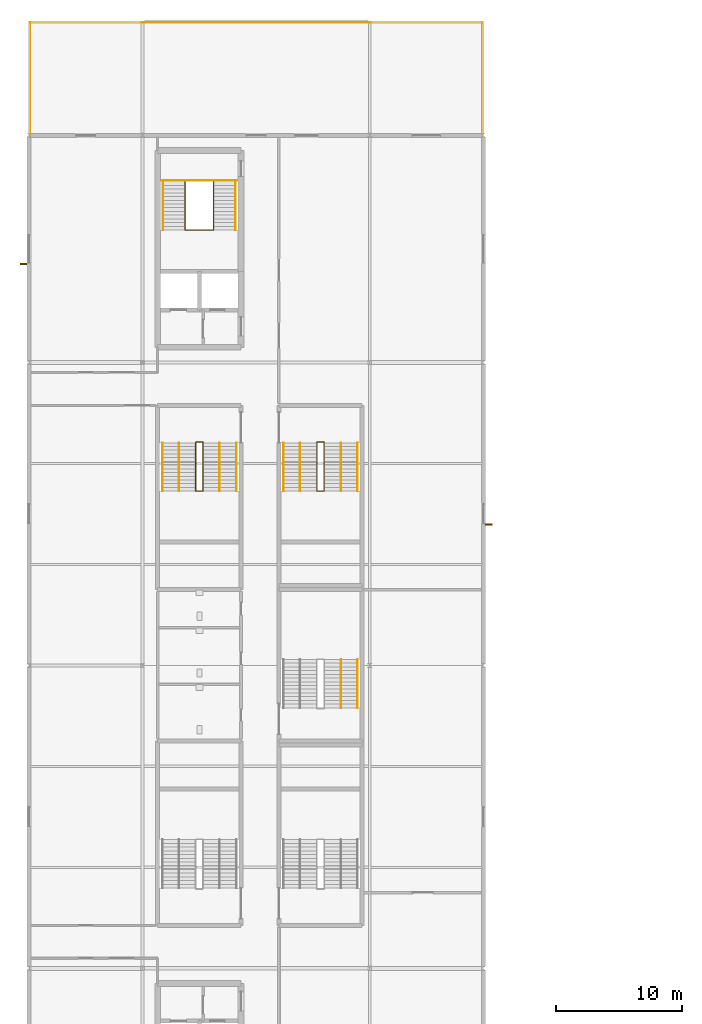
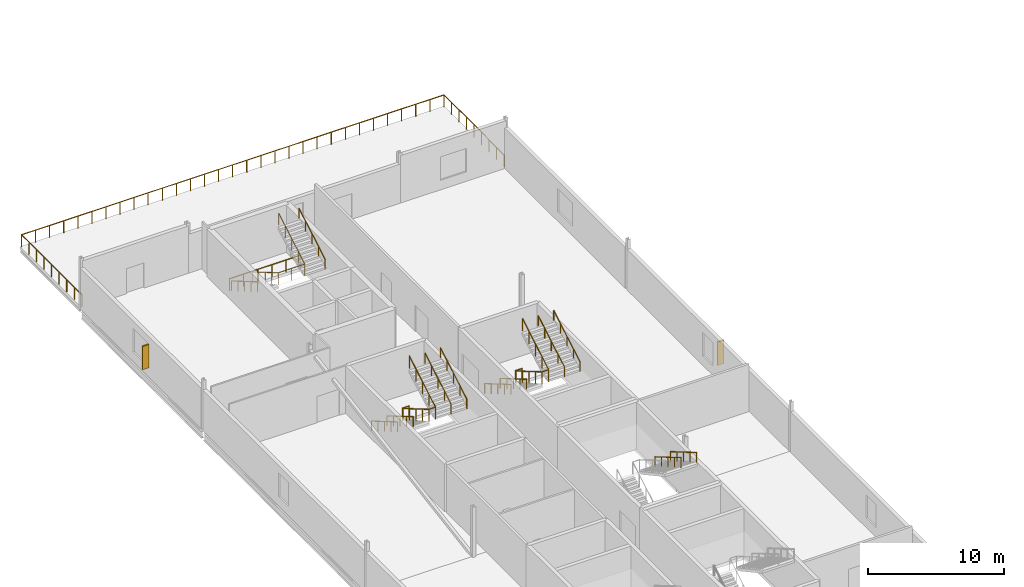
# One storey, part 24 of 28: 19 railings, 2 shading devices.
"""IFC4 building model written with IfcOpenShell, lengths in metres."""

from ifc_helpers import new_model, si_unit, direction, frame, origin, origin_2d, place, context, subcontext, project, spatial, rectangle, circle, extrude, material, type_object, element, save


model = new_model("IFC4")

# Units and contexts
model_context = context("Model", 3, precision=1e-05, world=origin(), true_north=direction((0.0, 1.0)))
body_context = subcontext(model_context, "Body", "Model", "MODEL_VIEW")
ifc_project = project(units=[si_unit("LENGTHUNIT", "METRE"), si_unit("AREAUNIT", "SQUARE_METRE"), si_unit("VOLUMEUNIT", "CUBIC_METRE"), si_unit("PLANEANGLEUNIT", "RADIAN"), si_unit("MASSUNIT", "GRAM", prefix="KILO")], contexts=[model_context])

# Site, building, storey
site_placement = place(None, origin())
site = spatial("IfcSite", under=ifc_project, at=site_placement, CompositionType="ELEMENT")
building_placement = place(site_placement, origin())
building = spatial("IfcBuilding", under=site, at=building_placement, Name="Kisiwana Market Hall", CompositionType="ELEMENT")
storey_placement = place(building_placement, frame((0.0, 0.0, 49.5)))
storey = spatial("IfcBuildingStorey", under=building, at=storey_placement, Name="L11", CompositionType="ELEMENT", Elevation=49.5)

# Railings
ifc_material_1 = material(Name="Steel S275", Category="steel")
railing_type_1 = type_object("IfcRailingType", Name="RL-BALUST-1100", PredefinedType="BALUSTRADE", material=ifc_material_1)
railing_1_placement = place(storey_placement, frame((0.080078125, 102.050048828125, 0.0)))
element("IfcRailing", 1, at=railing_1_placement, inside=storey, type_object=railing_type_1, Name="L11 NW Sky Garden Guardrail 1100 RL-1703", PredefinedType="BALUSTRADE", context=body_context, shape_type="SweptSolid", body=[
    extrude(circle(Radius=0.02392578125, at=origin_2d()), frame((0.0, 0.0, 1.076171875), z_axis=(0.0, 1.0, 0.0), x_axis=(-1.0, 0.0, 0.0)), (0.0, 0.0, 1.0), 8.869873046875),
    extrude(circle(Radius=0.02392578125, at=origin_2d()), frame((0.0, 8.869873046875, 1.076171875), z_axis=(1.0, 0.0, 0.0), x_axis=(0.0, 1.0, 0.0)), (0.0, 0.0, 1.0), 35.83984375),
    extrude(circle(Radius=0.02392578125, at=origin_2d()), frame((35.83984375, 8.869873046875, 1.076171875), z_axis=(0.0, -1.0, 0.0), x_axis=(1.0, 0.0, 0.0)), (0.0, 0.0, 1.0), 8.869873046875),
    extrude(circle(Radius=0.02099609375, at=origin_2d()), origin(), (0.0, 0.0, 1.0), 1.052001953125),
    extrude(circle(Radius=0.02099609375, at=origin_2d()), frame((0.0, 1.108642578125, 0.0)), (0.0, 0.0, 1.0), 1.052001953125),
    extrude(circle(Radius=0.02099609375, at=origin_2d()), frame((0.0, 2.217529296875, 0.0)), (0.0, 0.0, 1.0), 1.052001953125),
    extrude(circle(Radius=0.02099609375, at=origin_2d()), frame((0.0, 3.326171875, 0.0)), (0.0, 0.0, 1.0), 1.052001953125),
    extrude(circle(Radius=0.02099609375, at=origin_2d()), frame((0.0, 4.43505859375, 0.0)), (0.0, 0.0, 1.0), 1.052001953125),
    extrude(circle(Radius=0.02099609375, at=origin_2d()), frame((0.0, 5.543701171875, 0.0)), (0.0, 0.0, 1.0), 1.052001953125),
    extrude(circle(Radius=0.02099609375, at=origin_2d()), frame((0.0, 6.65234375, 0.0)), (0.0, 0.0, 1.0), 1.052001953125),
    extrude(circle(Radius=0.02099609375, at=origin_2d()), frame((0.0, 7.76123046875, 0.0)), (0.0, 0.0, 1.0), 1.052001953125),
    extrude(circle(Radius=0.02099609375, at=origin_2d()), frame((0.0, 8.869873046875, 0.0)), (0.0, 0.0, 1.0), 1.052001953125),
    extrude(circle(Radius=0.02099609375, at=origin_2d()), frame((1.194580078125, 8.869873046875, 0.0)), (0.0, 0.0, 1.0), 1.052001953125),
    extrude(circle(Radius=0.02099609375, at=origin_2d()), frame((2.389404296875, 8.869873046875, 0.0)), (0.0, 0.0, 1.0), 1.052001953125),
    extrude(circle(Radius=0.02099609375, at=origin_2d()), frame((3.583984375, 8.869873046875, 0.0)), (0.0, 0.0, 1.0), 1.052001953125),
    extrude(circle(Radius=0.02099609375, at=origin_2d()), frame((4.778564453125, 8.869873046875, 0.0)), (0.0, 0.0, 1.0), 1.052001953125),
    extrude(circle(Radius=0.02099609375, at=origin_2d()), frame((5.973388671875, 8.869873046875, 0.0)), (0.0, 0.0, 1.0), 1.052001953125),
    extrude(circle(Radius=0.02099609375, at=origin_2d()), frame((7.16796875, 8.869873046875, 0.0)), (0.0, 0.0, 1.0), 1.052001953125),
    extrude(circle(Radius=0.02099609375, at=origin_2d()), frame((8.362548828125, 8.869873046875, 0.0)), (0.0, 0.0, 1.0), 1.052001953125),
    extrude(circle(Radius=0.02099609375, at=origin_2d()), frame((9.557373046875, 8.869873046875, 0.0)), (0.0, 0.0, 1.0), 1.052001953125),
    extrude(circle(Radius=0.02099609375, at=origin_2d()), frame((10.751953125, 8.869873046875, 0.0)), (0.0, 0.0, 1.0), 1.052001953125),
    extrude(circle(Radius=0.02099609375, at=origin_2d()), frame((11.946533203125, 8.869873046875, 0.0)), (0.0, 0.0, 1.0), 1.052001953125),
    extrude(circle(Radius=0.02099609375, at=origin_2d()), frame((13.141357421875, 8.869873046875, 0.0)), (0.0, 0.0, 1.0), 1.052001953125),
    extrude(circle(Radius=0.02099609375, at=origin_2d()), frame((14.3359375, 8.869873046875, 0.0)), (0.0, 0.0, 1.0), 1.052001953125),
    extrude(circle(Radius=0.02099609375, at=origin_2d()), frame((15.530517578125, 8.869873046875, 0.0)), (0.0, 0.0, 1.0), 1.052001953125),
    extrude(circle(Radius=0.02099609375, at=origin_2d()), frame((16.725341796875, 8.869873046875, 0.0)), (0.0, 0.0, 1.0), 1.052001953125),
    extrude(circle(Radius=0.02099609375, at=origin_2d()), frame((17.919921875, 8.869873046875, 0.0)), (0.0, 0.0, 1.0), 1.052001953125),
    extrude(circle(Radius=0.02099609375, at=origin_2d()), frame((19.114501953125, 8.869873046875, 0.0)), (0.0, 0.0, 1.0), 1.052001953125),
    extrude(circle(Radius=0.02099609375, at=origin_2d()), frame((20.309326171875, 8.869873046875, 0.0)), (0.0, 0.0, 1.0), 1.052001953125),
    extrude(circle(Radius=0.02099609375, at=origin_2d()), frame((21.50390625, 8.869873046875, 0.0)), (0.0, 0.0, 1.0), 1.052001953125),
    extrude(circle(Radius=0.02099609375, at=origin_2d()), frame((22.698486328125, 8.869873046875, 0.0)), (0.0, 0.0, 1.0), 1.052001953125),
    extrude(circle(Radius=0.02099609375, at=origin_2d()), frame((23.893310546875, 8.869873046875, 0.0)), (0.0, 0.0, 1.0), 1.052001953125),
    extrude(circle(Radius=0.02099609375, at=origin_2d()), frame((25.087890625, 8.869873046875, 0.0)), (0.0, 0.0, 1.0), 1.052001953125),
    extrude(circle(Radius=0.02099609375, at=origin_2d()), frame((26.282470703125, 8.869873046875, 0.0)), (0.0, 0.0, 1.0), 1.052001953125),
    extrude(circle(Radius=0.02099609375, at=origin_2d()), frame((27.477294921875, 8.869873046875, 0.0)), (0.0, 0.0, 1.0), 1.052001953125),
    extrude(circle(Radius=0.02099609375, at=origin_2d()), frame((28.671875, 8.869873046875, 0.0)), (0.0, 0.0, 1.0), 1.052001953125),
    extrude(circle(Radius=0.02099609375, at=origin_2d()), frame((29.866455078125, 8.869873046875, 0.0)), (0.0, 0.0, 1.0), 1.052001953125),
    extrude(circle(Radius=0.02099609375, at=origin_2d()), frame((31.061279296875, 8.869873046875, 0.0)), (0.0, 0.0, 1.0), 1.052001953125),
    extrude(circle(Radius=0.02099609375, at=origin_2d()), frame((32.255859375, 8.869873046875, 0.0)), (0.0, 0.0, 1.0), 1.052001953125),
    extrude(circle(Radius=0.02099609375, at=origin_2d()), frame((33.450439453125, 8.869873046875, 0.0)), (0.0, 0.0, 1.0), 1.052001953125),
    extrude(circle(Radius=0.02099609375, at=origin_2d()), frame((34.645263671875, 8.869873046875, 0.0)), (0.0, 0.0, 1.0), 1.052001953125),
    extrude(circle(Radius=0.02099609375, at=origin_2d()), frame((35.83984375, 8.869873046875, 0.0)), (0.0, 0.0, 1.0), 1.052001953125),
    extrude(circle(Radius=0.02099609375, at=origin_2d()), frame((35.83984375, 7.76123046875, 0.0)), (0.0, 0.0, 1.0), 1.052001953125),
    extrude(circle(Radius=0.02099609375, at=origin_2d()), frame((35.83984375, 6.65234375, 0.0)), (0.0, 0.0, 1.0), 1.052001953125),
    extrude(circle(Radius=0.02099609375, at=origin_2d()), frame((35.83984375, 5.543701171875, 0.0)), (0.0, 0.0, 1.0), 1.052001953125),
    extrude(circle(Radius=0.02099609375, at=origin_2d()), frame((35.83984375, 4.43505859375, 0.0)), (0.0, 0.0, 1.0), 1.052001953125),
    extrude(circle(Radius=0.02099609375, at=origin_2d()), frame((35.83984375, 3.326171875, 0.0)), (0.0, 0.0, 1.0), 1.052001953125),
    extrude(circle(Radius=0.02099609375, at=origin_2d()), frame((35.83984375, 2.217529296875, 0.0)), (0.0, 0.0, 1.0), 1.052001953125),
    extrude(circle(Radius=0.02099609375, at=origin_2d()), frame((35.83984375, 1.108642578125, 0.0)), (0.0, 0.0, 1.0), 1.052001953125),
    extrude(circle(Radius=0.02099609375, at=origin_2d()), frame((35.83984375, 0.0, 0.0)), (0.0, 0.0, 1.0), 1.052001953125),
])
ifc_material_2 = material(Name="Steel S275", Category="steel")
railing_type_2 = type_object("IfcRailingType", Name="RL-GUARD-1100", PredefinedType="GUARDRAIL", material=ifc_material_2)
railing_2_placement = place(storey_placement, frame((12.375, 98.325439453125, 0.0)))
element("IfcRailing", 2, at=railing_2_placement, inside=storey, type_object=railing_type_2, Name="Stair ST-W1-L11 inner-well guardrail (RL-1363)", PredefinedType="GUARDRAIL", context=body_context, shape_type="SweptSolid", body=[
    extrude(circle(Radius=0.02392578125, at=origin_2d()), frame((0.0, 0.0, 1.076171875), z_axis=(0.0, -0.86250956776, 0.506040754805), x_axis=(1.0, 0.0, 0.0)), (0.0, 0.0, 1.0), 4.4462890625),
    extrude(circle(Radius=0.02392578125, at=origin_2d()), frame((0.0, -3.8349609375, 3.326171875), z_axis=(1.0, 0.0, 0.0), x_axis=(0.0, 1.0, 0.0)), (0.0, 0.0, 1.0), 2.25),
    extrude(circle(Radius=0.02392578125, at=origin_2d()), frame((2.25, -3.8349609375, 3.326171875), z_axis=(0.0, 0.86250956776, 0.506040754805), x_axis=(-1.0, 0.0, 0.0)), (0.0, 0.0, 1.0), 4.4462890625),
    extrude(circle(Radius=0.02099609375, at=origin_2d()), origin(), (0.0, 0.0, 1.0), 1.052001953125),
    extrude(circle(Radius=0.02099609375, at=origin_2d()), frame((0.0, -0.958740234375, 0.5625)), (0.0, 0.0, 1.0), 1.052001953125),
    extrude(circle(Radius=0.02099609375, at=origin_2d()), frame((0.0, -1.91748046875, 1.125)), (0.0, 0.0, 1.0), 1.052001953125),
    extrude(circle(Radius=0.02099609375, at=origin_2d()), frame((0.0, -2.876220703125, 1.6875)), (0.0, 0.0, 1.0), 1.052001953125),
    extrude(circle(Radius=0.02099609375, at=origin_2d()), frame((0.0, -3.8349609375, 2.25)), (0.0, 0.0, 1.0), 1.052001953125),
    extrude(circle(Radius=0.02099609375, at=origin_2d()), frame((1.125, -3.8349609375, 2.25)), (0.0, 0.0, 1.0), 1.052001953125),
    extrude(circle(Radius=0.02099609375, at=origin_2d()), frame((2.25, -3.8349609375, 2.25)), (0.0, 0.0, 1.0), 1.052001953125),
    extrude(circle(Radius=0.02099609375, at=origin_2d()), frame((2.25, -2.876220703125, 2.8125)), (0.0, 0.0, 1.0), 1.052001953125),
    extrude(circle(Radius=0.02099609375, at=origin_2d()), frame((2.25, -1.91748046875, 3.375)), (0.0, 0.0, 1.0), 1.052001953125),
    extrude(circle(Radius=0.02099609375, at=origin_2d()), frame((2.25, -0.958740234375, 3.9375)), (0.0, 0.0, 1.0), 1.052001953125),
    extrude(circle(Radius=0.02099609375, at=origin_2d()), frame((2.25, 0.0, 4.5)), (0.0, 0.0, 1.0), 1.052001953125),
])
railing_3_placement = place(storey_placement, frame((10.5048828125, 98.405517578125, 0.0)))
element("IfcRailing", 3, at=railing_3_placement, inside=storey, type_object=railing_type_2, Name="Stair ST-W1-L11 landing edge guardrail (RL-1366)", PredefinedType="GUARDRAIL", context=body_context, shape_type="SweptSolid", body=[
    extrude(circle(Radius=0.02392578125, at=origin_2d()), frame((0.0, 0.0, 1.076171875), z_axis=(1.0, 0.0, 0.0), x_axis=(0.0, 1.0, 0.0)), (0.0, 0.0, 1.0), 5.990234375),
    extrude(circle(Radius=0.02099609375, at=origin_2d()), origin(), (0.0, 0.0, 1.0), 1.052001953125),
    extrude(circle(Radius=0.02099609375, at=origin_2d()), frame((1.197998046875, 0.0, 0.0)), (0.0, 0.0, 1.0), 1.052001953125),
    extrude(circle(Radius=0.02099609375, at=origin_2d()), frame((2.39599609375, 0.0, 0.0)), (0.0, 0.0, 1.0), 1.052001953125),
    extrude(circle(Radius=0.02099609375, at=origin_2d()), frame((3.59423828125, 0.0, 0.0)), (0.0, 0.0, 1.0), 1.052001953125),
    extrude(circle(Radius=0.02099609375, at=origin_2d()), frame((4.792236328125, 0.0, 0.0)), (0.0, 0.0, 1.0), 1.052001953125),
    extrude(circle(Radius=0.02099609375, at=origin_2d()), frame((5.990234375, 0.0, 0.0)), (0.0, 0.0, 1.0), 1.052001953125),
])
railing_4_placement = place(storey_placement, frame((13.219970703125, 77.639892578125, 0.0)))
element("IfcRailing", 4, at=railing_4_placement, inside=storey, type_object=railing_type_2, Name="Stair ST-W4-L11 inner-well guardrail (RL-1381)", PredefinedType="GUARDRAIL", context=body_context, shape_type="SweptSolid", body=[
    extrude(circle(Radius=0.02392578125, at=origin_2d()), frame((0.0, 0.0, 1.076171875), z_axis=(0.0, -0.86250956776, 0.506040754805), x_axis=(1.0, 0.0, 0.0)), (0.0, 0.0, 1.0), 4.4462890625),
    extrude(circle(Radius=0.02392578125, at=origin_2d()), frame((0.0, -3.8349609375, 3.326171875), z_axis=(1.0, 0.0, 0.0), x_axis=(0.0, 1.0, 0.0)), (0.0, 0.0, 1.0), 0.56005859375),
    extrude(circle(Radius=0.02392578125, at=origin_2d()), frame((0.56005859375, -3.8349609375, 3.326171875), z_axis=(0.0, 0.86250956776, 0.506040754805), x_axis=(-1.0, 0.0, 0.0)), (0.0, 0.0, 1.0), 4.4462890625),
    extrude(circle(Radius=0.02099609375, at=origin_2d()), origin(), (0.0, 0.0, 1.0), 1.052001953125),
    extrude(circle(Radius=0.02099609375, at=origin_2d()), frame((0.0, -0.958740234375, 0.5625)), (0.0, 0.0, 1.0), 1.052001953125),
    extrude(circle(Radius=0.02099609375, at=origin_2d()), frame((0.0, -1.91748046875, 1.125)), (0.0, 0.0, 1.0), 1.052001953125),
    extrude(circle(Radius=0.02099609375, at=origin_2d()), frame((0.0, -2.876220703125, 1.6875)), (0.0, 0.0, 1.0), 1.052001953125),
    extrude(circle(Radius=0.02099609375, at=origin_2d()), frame((0.0, -3.8349609375, 2.25)), (0.0, 0.0, 1.0), 1.052001953125),
    extrude(circle(Radius=0.02099609375, at=origin_2d()), frame((0.56005859375, -3.8349609375, 2.25)), (0.0, 0.0, 1.0), 1.052001953125),
    extrude(circle(Radius=0.02099609375, at=origin_2d()), frame((0.56005859375, -2.876220703125, 2.8125)), (0.0, 0.0, 1.0), 1.052001953125),
    extrude(circle(Radius=0.02099609375, at=origin_2d()), frame((0.56005859375, -1.91748046875, 3.375)), (0.0, 0.0, 1.0), 1.052001953125),
    extrude(circle(Radius=0.02099609375, at=origin_2d()), frame((0.56005859375, -0.958740234375, 3.9375)), (0.0, 0.0, 1.0), 1.052001953125),
    extrude(circle(Radius=0.02099609375, at=origin_2d()), frame((0.56005859375, 0.0, 4.5)), (0.0, 0.0, 1.0), 1.052001953125),
])
railing_5_placement = place(storey_placement, frame((13.219970703125, 77.68994140625, 0.0)))
element("IfcRailing", 5, at=railing_5_placement, inside=storey, type_object=railing_type_2, Name="Stair ST-W4-L11 landing edge guardrail (RL-1386)", PredefinedType="GUARDRAIL", context=body_context, shape_type="SweptSolid", body=[
    extrude(circle(Radius=0.02392578125, at=origin_2d()), frame((0.0, 0.0, 1.076171875), z_axis=(1.0, 0.0, 0.0), x_axis=(0.0, 1.0, 0.0)), (0.0, 0.0, 1.0), 0.56005859375),
    extrude(circle(Radius=0.02099609375, at=origin_2d()), origin(), (0.0, 0.0, 1.0), 1.052001953125),
    extrude(circle(Radius=0.02099609375, at=origin_2d()), frame((0.56005859375, 0.0, 0.0)), (0.0, 0.0, 1.0), 1.052001953125),
])
railing_6_placement = place(storey_placement, frame((22.820068359375, 77.639892578125, 0.0)))
element("IfcRailing", 6, at=railing_6_placement, inside=storey, type_object=railing_type_2, Name="Stair ST-W8-L11 inner-well guardrail (RL-1411)", PredefinedType="GUARDRAIL", context=body_context, shape_type="SweptSolid", body=[
    extrude(circle(Radius=0.02392578125, at=origin_2d()), frame((0.0, 0.0, 1.076171875), z_axis=(0.0, -0.86250956776, 0.506040754805), x_axis=(1.0, 0.0, 0.0)), (0.0, 0.0, 1.0), 4.4462890625),
    extrude(circle(Radius=0.02392578125, at=origin_2d()), frame((0.0, -3.8349609375, 3.326171875), z_axis=(1.0, 0.0, 0.0), x_axis=(0.0, 1.0, 0.0)), (0.0, 0.0, 1.0), 0.559814453125),
    extrude(circle(Radius=0.02392578125, at=origin_2d()), frame((0.559814453125, -3.8349609375, 3.326171875), z_axis=(0.0, 0.86250956776, 0.506040754805), x_axis=(-1.0, 0.0, 0.0)), (0.0, 0.0, 1.0), 4.4462890625),
    extrude(circle(Radius=0.02099609375, at=origin_2d()), origin(), (0.0, 0.0, 1.0), 1.052001953125),
    extrude(circle(Radius=0.02099609375, at=origin_2d()), frame((0.0, -0.958740234375, 0.5625)), (0.0, 0.0, 1.0), 1.052001953125),
    extrude(circle(Radius=0.02099609375, at=origin_2d()), frame((0.0, -1.91748046875, 1.125)), (0.0, 0.0, 1.0), 1.052001953125),
    extrude(circle(Radius=0.02099609375, at=origin_2d()), frame((0.0, -2.876220703125, 1.6875)), (0.0, 0.0, 1.0), 1.052001953125),
    extrude(circle(Radius=0.02099609375, at=origin_2d()), frame((0.0, -3.8349609375, 2.25)), (0.0, 0.0, 1.0), 1.052001953125),
    extrude(circle(Radius=0.02099609375, at=origin_2d()), frame((0.559814453125, -3.8349609375, 2.25)), (0.0, 0.0, 1.0), 1.052001953125),
    extrude(circle(Radius=0.02099609375, at=origin_2d()), frame((0.559814453125, -2.876220703125, 2.8125)), (0.0, 0.0, 1.0), 1.052001953125),
    extrude(circle(Radius=0.02099609375, at=origin_2d()), frame((0.559814453125, -1.91748046875, 3.375)), (0.0, 0.0, 1.0), 1.052001953125),
    extrude(circle(Radius=0.02099609375, at=origin_2d()), frame((0.559814453125, -0.958740234375, 3.9375)), (0.0, 0.0, 1.0), 1.052001953125),
    extrude(circle(Radius=0.02099609375, at=origin_2d()), frame((0.559814453125, 0.0, 4.5)), (0.0, 0.0, 1.0), 1.052001953125),
])
railing_7_placement = place(storey_placement, frame((22.820068359375, 77.68994140625, 0.0)))
element("IfcRailing", 7, at=railing_7_placement, inside=storey, type_object=railing_type_2, Name="Stair ST-W8-L11 landing edge guardrail (RL-1416)", PredefinedType="GUARDRAIL", context=body_context, shape_type="SweptSolid", body=[
    extrude(circle(Radius=0.02392578125, at=origin_2d()), frame((0.0, 0.0, 1.076171875), z_axis=(1.0, 0.0, 0.0), x_axis=(0.0, 1.0, 0.0)), (0.0, 0.0, 1.0), 0.559814453125),
    extrude(circle(Radius=0.02099609375, at=origin_2d()), origin(), (0.0, 0.0, 1.0), 1.052001953125),
    extrude(circle(Radius=0.02099609375, at=origin_2d()), frame((0.559814453125, 0.0, 0.0)), (0.0, 0.0, 1.0), 1.052001953125),
])
ifc_material_3 = material(Name="Steel S275", Category="steel")
railing_type_3 = type_object("IfcRailingType", Name="RL-HAND-900", PredefinedType="HANDRAIL", material=ifc_material_3)
railing_8_placement = place(storey_placement, frame((10.635009765625, 98.325439453125, 0.0)))
element("IfcRailing", 8, at=railing_8_placement, inside=storey, type_object=railing_type_3, Name="Stair ST-W1-L11 flight 1 handrail (RL-1364)", PredefinedType="HANDRAIL", context=body_context, shape_type="SweptSolid", body=[
    extrude(circle(Radius=0.02392578125, at=origin_2d()), frame((0.0, 0.0, 0.8759765625), z_axis=(0.0, -0.86250956776, 0.506040754805), x_axis=(1.0, 0.0, 0.0)), (0.0, 0.0, 1.0), 4.4462890625),
    extrude(circle(Radius=0.02099609375, at=origin_2d()), origin(), (0.0, 0.0, 1.0), 0.851806640625),
    extrude(circle(Radius=0.02099609375, at=origin_2d()), frame((0.0, -0.958740234375, 0.5625)), (0.0, 0.0, 1.0), 0.851806640625),
    extrude(circle(Radius=0.02099609375, at=origin_2d()), frame((0.0, -1.91748046875, 1.125)), (0.0, 0.0, 1.0), 0.851806640625),
    extrude(circle(Radius=0.02099609375, at=origin_2d()), frame((0.0, -2.876220703125, 1.6875)), (0.0, 0.0, 1.0), 0.851806640625),
    extrude(circle(Radius=0.02099609375, at=origin_2d()), frame((0.0, -3.8349609375, 2.25)), (0.0, 0.0, 1.0), 0.851806640625),
])
railing_9_placement = place(storey_placement, frame((16.364990234375, 94.490478515625, 2.25)))
element("IfcRailing", 9, at=railing_9_placement, inside=storey, type_object=railing_type_3, Name="Stair ST-W1-L11 flight 2 handrail (RL-1365)", PredefinedType="HANDRAIL", context=body_context, shape_type="SweptSolid", body=[
    extrude(circle(Radius=0.02392578125, at=origin_2d()), frame((0.0, 0.0, 0.8759765625), z_axis=(0.0, 0.86250956776, 0.506040754805), x_axis=(-1.0, 0.0, 0.0)), (0.0, 0.0, 1.0), 4.4462890625),
    extrude(circle(Radius=0.02099609375, at=origin_2d()), origin(), (0.0, 0.0, 1.0), 0.851806640625),
    extrude(circle(Radius=0.02099609375, at=origin_2d()), frame((0.0, 0.958740234375, 0.5625)), (0.0, 0.0, 1.0), 0.851806640625),
    extrude(circle(Radius=0.02099609375, at=origin_2d()), frame((0.0, 1.91748046875, 1.125)), (0.0, 0.0, 1.0), 0.851806640625),
    extrude(circle(Radius=0.02099609375, at=origin_2d()), frame((0.0, 2.876220703125, 1.6875)), (0.0, 0.0, 1.0), 0.851806640625),
    extrude(circle(Radius=0.02099609375, at=origin_2d()), frame((0.0, 3.8349609375, 2.25)), (0.0, 0.0, 1.0), 0.851806640625),
])
railing_10_placement = place(storey_placement, frame((10.570068359375, 77.639892578125, 0.0)))
element("IfcRailing", 10, at=railing_10_placement, inside=storey, type_object=railing_type_3, Name="Stair ST-W4-L11 flight 1 handrail (RL-1382)", PredefinedType="HANDRAIL", context=body_context, shape_type="SweptSolid", body=[
    extrude(circle(Radius=0.02392578125, at=origin_2d()), frame((0.0, 0.0, 0.8759765625), z_axis=(0.0, -0.86250956776, 0.506040754805), x_axis=(1.0, 0.0, 0.0)), (0.0, 0.0, 1.0), 4.4462890625),
    extrude(circle(Radius=0.02099609375, at=origin_2d()), origin(), (0.0, 0.0, 1.0), 0.851806640625),
    extrude(circle(Radius=0.02099609375, at=origin_2d()), frame((0.0, -0.958740234375, 0.5625)), (0.0, 0.0, 1.0), 0.851806640625),
    extrude(circle(Radius=0.02099609375, at=origin_2d()), frame((0.0, -1.91748046875, 1.125)), (0.0, 0.0, 1.0), 0.851806640625),
    extrude(circle(Radius=0.02099609375, at=origin_2d()), frame((0.0, -2.876220703125, 1.6875)), (0.0, 0.0, 1.0), 0.851806640625),
    extrude(circle(Radius=0.02099609375, at=origin_2d()), frame((0.0, -3.8349609375, 2.25)), (0.0, 0.0, 1.0), 0.851806640625),
])
railing_11_placement = place(storey_placement, frame((16.429931640625, 73.804931640625, 2.25)))
element("IfcRailing", 11, at=railing_11_placement, inside=storey, type_object=railing_type_3, Name="Stair ST-W4-L11 flight 2 handrail (RL-1383)", PredefinedType="HANDRAIL", context=body_context, shape_type="SweptSolid", body=[
    extrude(circle(Radius=0.02392578125, at=origin_2d()), frame((0.0, 0.0, 0.8759765625), z_axis=(0.0, 0.86250956776, 0.506040754805), x_axis=(-1.0, 0.0, 0.0)), (0.0, 0.0, 1.0), 4.4462890625),
    extrude(circle(Radius=0.02099609375, at=origin_2d()), origin(), (0.0, 0.0, 1.0), 0.851806640625),
    extrude(circle(Radius=0.02099609375, at=origin_2d()), frame((0.0, 0.958740234375, 0.5625)), (0.0, 0.0, 1.0), 0.851806640625),
    extrude(circle(Radius=0.02099609375, at=origin_2d()), frame((0.0, 1.91748046875, 1.125)), (0.0, 0.0, 1.0), 0.851806640625),
    extrude(circle(Radius=0.02099609375, at=origin_2d()), frame((0.0, 2.876220703125, 1.6875)), (0.0, 0.0, 1.0), 0.851806640625),
    extrude(circle(Radius=0.02099609375, at=origin_2d()), frame((0.0, 3.8349609375, 2.25)), (0.0, 0.0, 1.0), 0.851806640625),
])
railing_12_placement = place(storey_placement, frame((11.889892578125, 77.639892578125, 0.0)))
element("IfcRailing", 12, at=railing_12_placement, inside=storey, type_object=railing_type_3, Name="Stair ST-W4-L11 flight 1 intermediate handrail (RL-1384)", PredefinedType="HANDRAIL", context=body_context, shape_type="SweptSolid", body=[
    extrude(circle(Radius=0.02392578125, at=origin_2d()), frame((0.0, 0.0, 0.8759765625), z_axis=(0.0, -0.86250956776, 0.506040754805), x_axis=(1.0, 0.0, 0.0)), (0.0, 0.0, 1.0), 4.4462890625),
    extrude(circle(Radius=0.02099609375, at=origin_2d()), origin(), (0.0, 0.0, 1.0), 0.851806640625),
    extrude(circle(Radius=0.02099609375, at=origin_2d()), frame((0.0, -0.958740234375, 0.5625)), (0.0, 0.0, 1.0), 0.851806640625),
    extrude(circle(Radius=0.02099609375, at=origin_2d()), frame((0.0, -1.91748046875, 1.125)), (0.0, 0.0, 1.0), 0.851806640625),
    extrude(circle(Radius=0.02099609375, at=origin_2d()), frame((0.0, -2.876220703125, 1.6875)), (0.0, 0.0, 1.0), 0.851806640625),
    extrude(circle(Radius=0.02099609375, at=origin_2d()), frame((0.0, -3.8349609375, 2.25)), (0.0, 0.0, 1.0), 0.851806640625),
])
railing_13_placement = place(storey_placement, frame((15.110107421875, 73.804931640625, 2.25)))
element("IfcRailing", 13, at=railing_13_placement, inside=storey, type_object=railing_type_3, Name="Stair ST-W4-L11 flight 2 intermediate handrail (RL-1385)", PredefinedType="HANDRAIL", context=body_context, shape_type="SweptSolid", body=[
    extrude(circle(Radius=0.02392578125, at=origin_2d()), frame((0.0, 0.0, 0.8759765625), z_axis=(0.0, 0.86250956776, 0.506040754805), x_axis=(-1.0, 0.0, 0.0)), (0.0, 0.0, 1.0), 4.4462890625),
    extrude(circle(Radius=0.02099609375, at=origin_2d()), origin(), (0.0, 0.0, 1.0), 0.851806640625),
    extrude(circle(Radius=0.02099609375, at=origin_2d()), frame((0.0, 0.958740234375, 0.5625)), (0.0, 0.0, 1.0), 0.851806640625),
    extrude(circle(Radius=0.02099609375, at=origin_2d()), frame((0.0, 1.91748046875, 1.125)), (0.0, 0.0, 1.0), 0.851806640625),
    extrude(circle(Radius=0.02099609375, at=origin_2d()), frame((0.0, 2.876220703125, 1.6875)), (0.0, 0.0, 1.0), 0.851806640625),
    extrude(circle(Radius=0.02099609375, at=origin_2d()), frame((0.0, 3.8349609375, 2.25)), (0.0, 0.0, 1.0), 0.851806640625),
])
railing_14_placement = place(storey_placement, frame((20.169921875, 77.639892578125, 0.0)))
element("IfcRailing", 14, at=railing_14_placement, inside=storey, type_object=railing_type_3, Name="Stair ST-W8-L11 flight 1 handrail (RL-1412)", PredefinedType="HANDRAIL", context=body_context, shape_type="SweptSolid", body=[
    extrude(circle(Radius=0.02392578125, at=origin_2d()), frame((0.0, 0.0, 0.8759765625), z_axis=(0.0, -0.86250956776, 0.506040754805), x_axis=(1.0, 0.0, 0.0)), (0.0, 0.0, 1.0), 4.4462890625),
    extrude(circle(Radius=0.02099609375, at=origin_2d()), origin(), (0.0, 0.0, 1.0), 0.851806640625),
    extrude(circle(Radius=0.02099609375, at=origin_2d()), frame((0.0, -0.958740234375, 0.5625)), (0.0, 0.0, 1.0), 0.851806640625),
    extrude(circle(Radius=0.02099609375, at=origin_2d()), frame((0.0, -1.91748046875, 1.125)), (0.0, 0.0, 1.0), 0.851806640625),
    extrude(circle(Radius=0.02099609375, at=origin_2d()), frame((0.0, -2.876220703125, 1.6875)), (0.0, 0.0, 1.0), 0.851806640625),
    extrude(circle(Radius=0.02099609375, at=origin_2d()), frame((0.0, -3.8349609375, 2.25)), (0.0, 0.0, 1.0), 0.851806640625),
])
railing_15_placement = place(storey_placement, frame((26.030029296875, 73.804931640625, 2.25)))
element("IfcRailing", 15, at=railing_15_placement, inside=storey, type_object=railing_type_3, Name="Stair ST-W8-L11 flight 2 handrail (RL-1413)", PredefinedType="HANDRAIL", context=body_context, shape_type="SweptSolid", body=[
    extrude(circle(Radius=0.02392578125, at=origin_2d()), frame((0.0, 0.0, 0.8759765625), z_axis=(0.0, 0.86250956776, 0.506040754805), x_axis=(-1.0, 0.0, 0.0)), (0.0, 0.0, 1.0), 4.4462890625),
    extrude(circle(Radius=0.02099609375, at=origin_2d()), origin(), (0.0, 0.0, 1.0), 0.851806640625),
    extrude(circle(Radius=0.02099609375, at=origin_2d()), frame((0.0, 0.958740234375, 0.5625)), (0.0, 0.0, 1.0), 0.851806640625),
    extrude(circle(Radius=0.02099609375, at=origin_2d()), frame((0.0, 1.91748046875, 1.125)), (0.0, 0.0, 1.0), 0.851806640625),
    extrude(circle(Radius=0.02099609375, at=origin_2d()), frame((0.0, 2.876220703125, 1.6875)), (0.0, 0.0, 1.0), 0.851806640625),
    extrude(circle(Radius=0.02099609375, at=origin_2d()), frame((0.0, 3.8349609375, 2.25)), (0.0, 0.0, 1.0), 0.851806640625),
])
railing_16_placement = place(storey_placement, frame((21.489990234375, 77.639892578125, 0.0)))
element("IfcRailing", 16, at=railing_16_placement, inside=storey, type_object=railing_type_3, Name="Stair ST-W8-L11 flight 1 intermediate handrail (RL-1414)", PredefinedType="HANDRAIL", context=body_context, shape_type="SweptSolid", body=[
    extrude(circle(Radius=0.02392578125, at=origin_2d()), frame((0.0, 0.0, 0.8759765625), z_axis=(0.0, -0.86250956776, 0.506040754805), x_axis=(1.0, 0.0, 0.0)), (0.0, 0.0, 1.0), 4.4462890625),
    extrude(circle(Radius=0.02099609375, at=origin_2d()), origin(), (0.0, 0.0, 1.0), 0.851806640625),
    extrude(circle(Radius=0.02099609375, at=origin_2d()), frame((0.0, -0.958740234375, 0.5625)), (0.0, 0.0, 1.0), 0.851806640625),
    extrude(circle(Radius=0.02099609375, at=origin_2d()), frame((0.0, -1.91748046875, 1.125)), (0.0, 0.0, 1.0), 0.851806640625),
    extrude(circle(Radius=0.02099609375, at=origin_2d()), frame((0.0, -2.876220703125, 1.6875)), (0.0, 0.0, 1.0), 0.851806640625),
    extrude(circle(Radius=0.02099609375, at=origin_2d()), frame((0.0, -3.8349609375, 2.25)), (0.0, 0.0, 1.0), 0.851806640625),
])
railing_17_placement = place(storey_placement, frame((24.7099609375, 73.804931640625, 2.25)))
element("IfcRailing", 17, at=railing_17_placement, inside=storey, type_object=railing_type_3, Name="Stair ST-W8-L11 flight 2 intermediate handrail (RL-1415)", PredefinedType="HANDRAIL", context=body_context, shape_type="SweptSolid", body=[
    extrude(circle(Radius=0.02392578125, at=origin_2d()), frame((0.0, 0.0, 0.8759765625), z_axis=(0.0, 0.86250956776, 0.506040754805), x_axis=(-1.0, 0.0, 0.0)), (0.0, 0.0, 1.0), 4.4462890625),
    extrude(circle(Radius=0.02099609375, at=origin_2d()), origin(), (0.0, 0.0, 1.0), 0.851806640625),
    extrude(circle(Radius=0.02099609375, at=origin_2d()), frame((0.0, 0.958740234375, 0.5625)), (0.0, 0.0, 1.0), 0.851806640625),
    extrude(circle(Radius=0.02099609375, at=origin_2d()), frame((0.0, 1.91748046875, 1.125)), (0.0, 0.0, 1.0), 0.851806640625),
    extrude(circle(Radius=0.02099609375, at=origin_2d()), frame((0.0, 2.876220703125, 1.6875)), (0.0, 0.0, 1.0), 0.851806640625),
    extrude(circle(Radius=0.02099609375, at=origin_2d()), frame((0.0, 3.8349609375, 2.25)), (0.0, 0.0, 1.0), 0.851806640625),
])
for number, where, name in (
    (18, (26.030029296875, 60.47509765625, 2.25), "Stair ST-W5-L11 flight 2 handrail (RL-1425)"),
    (19, (24.7099609375, 60.47509765625, 2.25), "Stair ST-W5-L11 flight 2 intermediate handrail (RL-1427)"),
):
    element("IfcRailing", number, at=place(storey_placement, frame(where)), inside=storey, type_object=railing_type_3, Name=name, PredefinedType="HANDRAIL", context=body_context, shape_type="SweptSolid", body=[
        extrude(circle(Radius=0.02392578125, at=origin_2d()), frame((0.0, 0.0, 0.8759765625), z_axis=(0.0, -0.86252362769, 0.506016789916), x_axis=(1.0, 0.0, 0.0)), (0.0, 0.0, 1.0), 4.446533203125),
        extrude(circle(Radius=0.02099609375, at=origin_2d()), origin(), (0.0, 0.0, 1.0), 0.851806640625),
        extrude(circle(Radius=0.02099609375, at=origin_2d()), frame((0.0, -0.958740234375, 0.5625)), (0.0, 0.0, 1.0), 0.851806640625),
        extrude(circle(Radius=0.02099609375, at=origin_2d()), frame((0.0, -1.91748046875, 1.125)), (0.0, 0.0, 1.0), 0.851806640625),
        extrude(circle(Radius=0.02099609375, at=origin_2d()), frame((0.0, -2.87646484375, 1.6875)), (0.0, 0.0, 1.0), 0.851806640625),
        extrude(circle(Radius=0.02099609375, at=origin_2d()), frame((0.0, -3.835205078125, 2.25)), (0.0, 0.0, 1.0), 0.851806640625),
    ])

# Shading devices
ifc_material_4 = material(Name="Aluminium alloy 6063-T6", Category="aluminium")
shading_device_type = type_object("IfcShadingDeviceType", Name="SHD-SHUTTER-V", PredefinedType="SHUTTER", material=ifc_material_4)
for number, where, z_axis, x_axis, name in (
    (20, (-0.4326171875, 91.820068359375, 0.849853515625), (0.0, 0.0, 1.0), (0.0, 1.0, 0.0), "Vertical solar fin SHD-206 SD-205"),
    (21, (36.4326171875, 71.169921875, 0.849853515625), (0.0, 0.0, 1.0), (0.0, 1.0, 0.0), "Vertical solar fin SHD-207 SD-206"),
):
    element("IfcShadingDevice", number, at=place(storey_placement, frame(where, z_axis=z_axis, x_axis=x_axis)), inside=storey, type_object=shading_device_type, Name=name, PredefinedType="SHUTTER", context=body_context, shape_type="SweptSolid", body=[
        extrude(rectangle(XDim=0.1201171875, YDim=0.550048828125, at=origin_2d()), origin(), (0.0, 0.0, 1.0), 2.10009765625),
    ])

save(model, "model.ifc")
